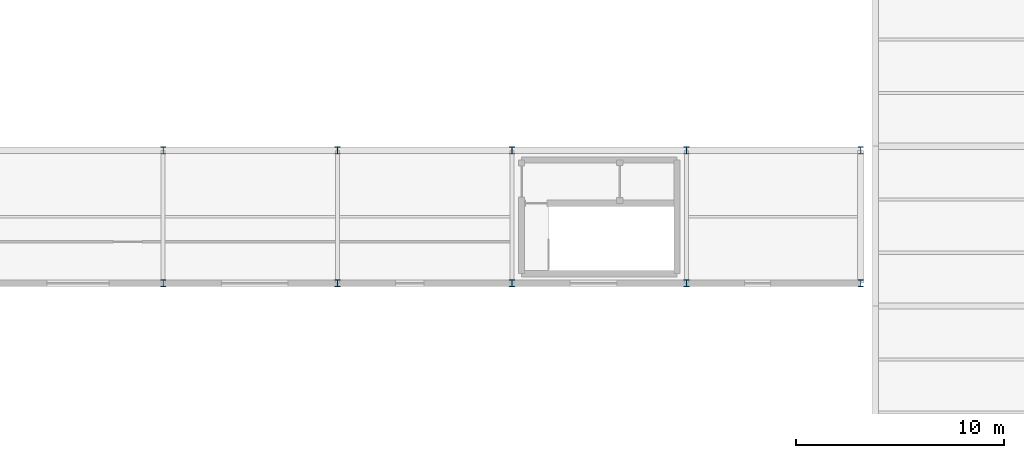
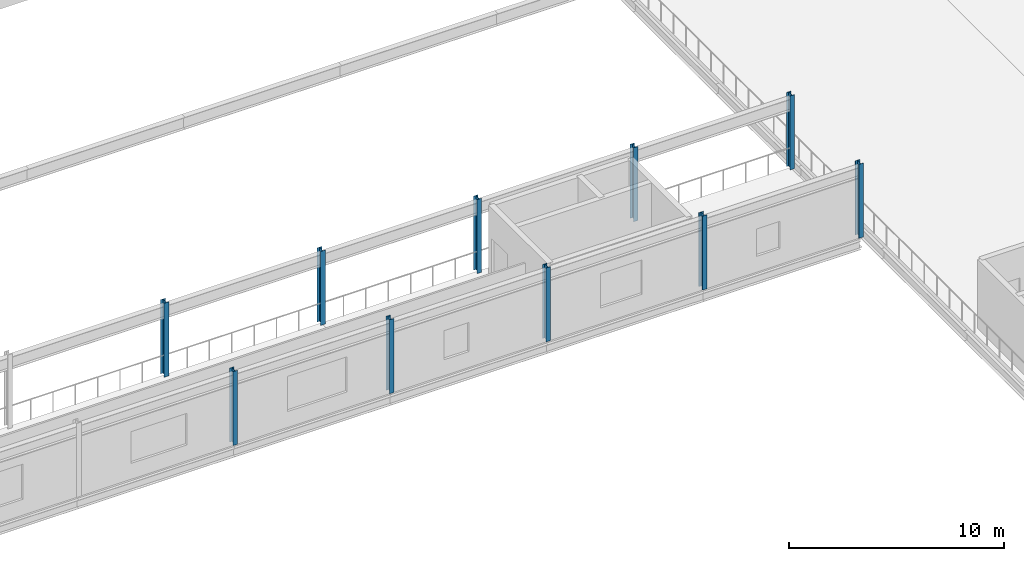
# One storey, part 9 of 39: 10 columns.
"""IFC4 building model written with IfcOpenShell, lengths in metres."""

import ifcopenshell
import ifcopenshell.guid

model = None  # the IFC model being written
_history = None  # IfcOwnerHistory: only IFC2X3 demands one
_inside = {}  # id of a spatial element -> (the spatial element, [elements in it])
_under = {}  # id of a project, library or spatial element -> (it, [spatial elements below it])
_declared = {}  # id of a project -> (the project, [libraries it declares])
_typed = {}  # id of a type object -> (the type object, [elements of that type])
_made_of = {}  # id of a material, layer set ... -> (it, [elements and type objects made of it])


def new_model(schema):
    """Start an empty IFC model of exactly this schema.

    Asked for "IFC4X3", IfcOpenShell would pick the latest addendum, in which some entities
    have other attributes; the version numbers below select the first issue.
    IFC2X3 requires an IfcOwnerHistory on every rooted entity: one is made here for all.
    """
    global model, _history
    if schema == "IFC4X3":
        model = ifcopenshell.file(schema_version=(4, 3, 0, 0))
    else:
        model = ifcopenshell.file(schema=schema)
    _inside.clear()
    _under.clear()
    _declared.clear()
    _typed.clear()
    _made_of.clear()
    _history = None
    if model.schema == "IFC2X3":
        org = make("IfcOrganization", Name="unknown")
        user = make(
            "IfcPersonAndOrganization",
            ThePerson=make("IfcPerson", FamilyName="unknown"),
            TheOrganization=org,
        )
        app = make(
            "IfcApplication",
            ApplicationDeveloper=org,
            Version="unknown",
            ApplicationFullName="unknown",
            ApplicationIdentifier="unknown",
        )
        _history = make(
            "IfcOwnerHistory",
            OwningUser=user,
            OwningApplication=app,
            ChangeAction="ADDED",
            CreationDate=0,
        )
    return model


def make(cls, **values):
    """One entity of the class cls with the attributes given. An attribute that is None is left unset."""
    return model.create_entity(
        cls, **{name: value for name, value in values.items() if value is not None}
    )


def rooted(cls, **values):
    """An entity with a GlobalId (a new one), such as an element, a storey or a relation."""
    return make(cls, GlobalId=ifcopenshell.guid.new(), OwnerHistory=_history, **values)


def si_unit(unit_type, name, prefix=None):
    """IfcSIUnit, for example si_unit("LENGTHUNIT", "METRE", prefix="MILLI")."""
    return make("IfcSIUnit", UnitType=unit_type, Prefix=prefix, Name=name)


def assignment(units):
    """IfcUnitAssignment: the units of a project."""
    return None if units is None else make("IfcUnitAssignment", Units=units)


def point(xyz):
    """IfcCartesianPoint."""
    return None if xyz is None else make("IfcCartesianPoint", Coordinates=xyz)


def direction(xyz):
    """IfcDirection."""
    return None if xyz is None else make("IfcDirection", DirectionRatios=xyz)


def frame(location, z_axis=None, x_axis=None):
    """IfcAxis2Placement3D, a coordinate frame: its origin and axes. An axis left out is left unset."""
    return make(
        "IfcAxis2Placement3D",
        Location=point(location),
        Axis=direction(z_axis),
        RefDirection=direction(x_axis),
    )


def frame_2d(location, x_axis=None):
    """IfcAxis2Placement2D, a coordinate frame in the plane: its origin and x axis."""
    return make(
        "IfcAxis2Placement2D", Location=point(location), RefDirection=direction(x_axis)
    )


def origin():
    """The frame at (0, 0, 0) with its axes left unset."""
    return frame((0.0, 0.0, 0.0))


def origin_2d():
    """The frame at (0, 0) in the plane with its x axis left unset."""
    return frame_2d((0.0, 0.0))


def place(relative_to, where):
    """IfcLocalPlacement: puts the frame where relative to a parent placement (None: the world)."""
    return make(
        "IfcLocalPlacement", PlacementRelTo=relative_to, RelativePlacement=where
    )


def context(
    kind, dimensions, precision=None, world=None, true_north=None, identifier=None
):
    """IfcGeometricRepresentationContext, for example the 3D "Model" context."""
    return make(
        "IfcGeometricRepresentationContext",
        ContextIdentifier=identifier,
        ContextType=kind,
        CoordinateSpaceDimension=dimensions,
        Precision=precision,
        WorldCoordinateSystem=world,
        TrueNorth=true_north,
    )


def subcontext(parent, identifier, kind, view, scale=None):
    """IfcGeometricRepresentationSubContext, for example "Body" below "Model"."""
    return make(
        "IfcGeometricRepresentationSubContext",
        ContextIdentifier=identifier,
        ContextType=kind,
        ParentContext=parent,
        TargetScale=scale,
        TargetView=view,
    )


def project(units=None, contexts=None):
    """IfcProject with its units and contexts."""
    return rooted(
        "IfcProject",
        Name="project",
        RepresentationContexts=contexts,
        UnitsInContext=assignment(units),
    )


def spatial(cls, under=None, at=None, **own):
    """A site, building, storey or space (cls), placed at a placement, below another one or the project."""
    s = rooted(cls, ObjectPlacement=at, **own)
    if under is not None:
        _under.setdefault(under.id(), (under, []))[1].append(s)
    return s


def profile(cls, at=None, kind="AREA", **sizes):
    """A parametric profile (cls). Its sizes go by their IFC names, for example OverallWidth=200.0."""
    return make(cls, ProfileType=kind, Position=at, **sizes)


def i_section(**sizes):
    """IfcIShapeProfileDef."""
    return profile("IfcIShapeProfileDef", **sizes)


def extrude(swept, where, along, depth):
    """IfcExtrudedAreaSolid: the profile swept, set in the frame where, extruded along a direction by depth."""
    return make(
        "IfcExtrudedAreaSolid",
        SweptArea=swept,
        Position=where,
        ExtrudedDirection=direction(along),
        Depth=depth,
    )


def shape(context_of_items, identifier, shape_type, items):
    """IfcShapeRepresentation: the items that make up one representation, for example the "Body"."""
    return make(
        "IfcShapeRepresentation",
        ContextOfItems=context_of_items,
        RepresentationIdentifier=identifier,
        RepresentationType=shape_type,
        Items=items,
    )


def material(Name=None, Category=None):
    """IfcMaterial."""
    return make("IfcMaterial", Name=Name, Category=Category)


def material_profile(
    of_material, cross_section, Name=None, Category=None, Priority=None
):
    """IfcMaterialProfile: a cross section and its material."""
    return make(
        "IfcMaterialProfile",
        Name=Name,
        Material=of_material,
        Profile=cross_section,
        Priority=Priority,
        Category=Category,
    )


def profile_set(profiles, Name=None, composite=None):
    """IfcMaterialProfileSet."""
    return make(
        "IfcMaterialProfileSet",
        Name=Name,
        MaterialProfiles=profiles,
        CompositeProfile=composite,
    )


def made_of(thing, what):
    """Note that an element or type object is made of a material, layer set ...; save() writes the relation."""
    if what is not None:
        _made_of.setdefault(what.id(), (what, []))[1].append(thing)
    return thing


def type_object(cls, material=None, **own):
    """A type object (cls), such as IfcWallType, which elements share."""
    return made_of(rooted(cls, **own), material)


def element(
    cls,
    number,
    at=None,
    inside=None,
    cuts=None,
    type_object=None,
    material=None,
    context=None,
    identifier="Body",
    shape_type=None,
    held_by="IfcProductDefinitionShape",
    body=None,
    shapes=None,
    **own,
):
    """One element of the class cls, such as IfcWall. Its Tag is "e" and its number.

    at: its placement. inside: the storey or other place that contains it. cuts: it is an
    opening in that element (IfcRelVoidsElement). A single representation is given by context,
    identifier, shape_type and body (its items); several are given by shapes. held_by: the class
    of the entity that holds the representations. save() writes the other relations.
    """
    e = rooted(cls, Tag="e%d" % number, ObjectPlacement=at, **own)
    if body is not None:
        shapes = [shape(context, identifier, shape_type, body)]
    if shapes is not None:
        e.Representation = make(held_by, Representations=shapes)
    if inside is not None:
        _inside.setdefault(inside.id(), (inside, []))[1].append(e)
    if cuts is not None:
        rooted(
            "IfcRelVoidsElement", RelatingBuildingElement=cuts, RelatedOpeningElement=e
        )
    if type_object is not None:
        _typed.setdefault(type_object.id(), (type_object, []))[1].append(e)
    return made_of(e, material)


def aggregate(whole, parts):
    """IfcRelAggregates: a whole, such as a stair, and the parts it consists of."""
    return rooted("IfcRelAggregates", RelatingObject=whole, RelatedObjects=parts)


def save(model, path):
    """Write the relations noted so far, then the file.

    IfcRelAggregates (storeys below a building ...), IfcRelContainedInSpatialStructure (elements
    in a storey), IfcRelDefinesByType, IfcRelAssociatesMaterial and IfcRelDeclares: one each for
    every whole, place, type object, material and project.
    """
    for whole, parts in _under.values():
        aggregate(whole, parts)
    for where, things in _inside.values():
        rooted(
            "IfcRelContainedInSpatialStructure",
            RelatedElements=things,
            RelatingStructure=where,
        )
    for kind, things in _typed.values():
        rooted("IfcRelDefinesByType", RelatedObjects=things, RelatingType=kind)
    for what, things in _made_of.values():
        rooted("IfcRelAssociatesMaterial", RelatedObjects=things, RelatingMaterial=what)
    for by, libraries in _declared.values():
        rooted("IfcRelDeclares", RelatingContext=by, RelatedDefinitions=libraries)
    model.write(path)


model = new_model("IFC4")

# Units and contexts
model_context = context("Model", 3, precision=1e-05, world=origin(), true_north=direction((0.0, 1.0)))
body_context = subcontext(model_context, "Body", "Model", "MODEL_VIEW")
ifc_project = project(units=[si_unit("LENGTHUNIT", "METRE"), si_unit("AREAUNIT", "SQUARE_METRE"), si_unit("VOLUMEUNIT", "CUBIC_METRE"), si_unit("PLANEANGLEUNIT", "RADIAN"), si_unit("MASSUNIT", "GRAM", prefix="KILO")], contexts=[model_context])

# Site, building, storey
site_placement = place(None, origin())
site = spatial("IfcSite", under=ifc_project, at=site_placement, CompositionType="ELEMENT")
building_placement = place(site_placement, origin())
building = spatial("IfcBuilding", under=site, at=building_placement, Name="Kazenagashi Tramway Depot", CompositionType="ELEMENT")
storey_placement = place(building_placement, frame((0.0, 0.0, 11.1)))
storey = spatial("IfcBuildingStorey", under=building, at=storey_placement, Name="L03", CompositionType="ELEMENT", Elevation=11.1)

# Columns
ifc_material = material(Name="Steel SN490B", Category="steel")
ifc_material_profile = material_profile(ifc_material, i_section(OverallWidth=0.25, OverallDepth=0.34, WebThickness=0.009, FlangeThickness=0.014, at=origin_2d()), Name="H-340x250x9x14")
ifc_profile_set = profile_set([ifc_material_profile], Name="Steel SN490B")
column_type = type_object("IfcColumnType", Name="C-20", PredefinedType="COLUMN", material=ifc_profile_set)
for number, where, z_axis, x_axis, name in (
    (1, (112.0, 16.5, 0.0), (0.0, 0.0, 1.0), (1.0, 0.0, 0.0), "Column C-20 COL-0282"),
    (2, (112.0, 22.9, 0.0), (0.0, 0.0, 1.0), (1.0, 0.0, 0.0), "Column C-20 COL-0286"),
    (3, (120.4, 16.5, 0.0), (0.0, 0.0, 1.0), (1.0, 0.0, 0.0), "Column C-20 COL-0299"),
    (4, (120.4, 22.9, 0.0), (0.0, 0.0, 1.0), (1.0, 0.0, 0.0), "Column C-20 COL-0303"),
    (5, (128.8, 16.5, 0.0), (0.0, 0.0, 1.0), (1.0, 0.0, 0.0), "Column C-20 COL-0316"),
    (6, (128.8, 22.9, 0.0), (0.0, 0.0, 1.0), (1.0, 0.0, 0.0), "Column C-20 COL-0320"),
    (7, (137.2, 16.5, 0.0), (0.0, 0.0, 1.0), (1.0, 0.0, 0.0), "Column C-20 COL-0333"),
    (8, (137.2, 22.9, 0.0), (0.0, 0.0, 1.0), (1.0, 0.0, 0.0), "Column C-20 COL-0337"),
    (9, (145.6, 16.5, 0.0), (0.0, 0.0, 1.0), (1.0, 0.0, 0.0), "Column C-20 COL-0350"),
    (10, (145.6, 22.9, 0.0), (0.0, 0.0, 1.0), (1.0, 0.0, 0.0), "Column C-20 COL-0354"),
):
    element("IfcColumn", number, at=place(storey_placement, frame(where, z_axis=z_axis, x_axis=x_axis)), inside=storey, type_object=column_type, Name=name, PredefinedType="COLUMN", context=body_context, shape_type="SweptSolid", body=[
        extrude(i_section(OverallWidth=0.25, OverallDepth=0.34, WebThickness=0.009, FlangeThickness=0.014, at=origin_2d()), origin(), (0.0, 0.0, 1.0), 4.2),
    ])

save(model, "model.ifc")
